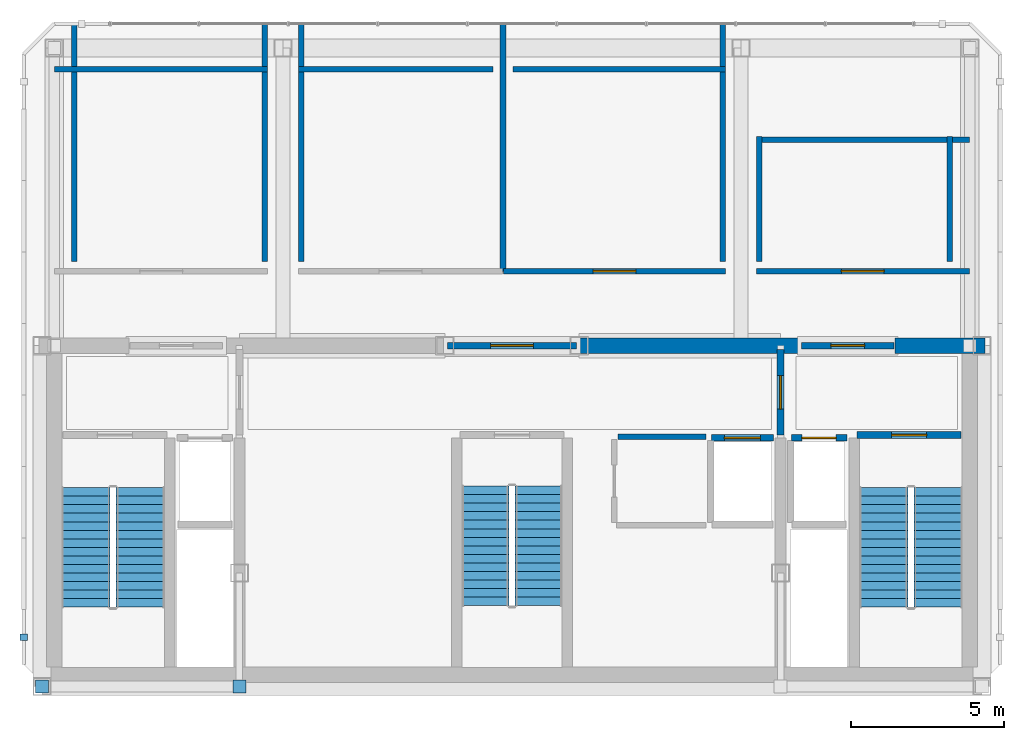
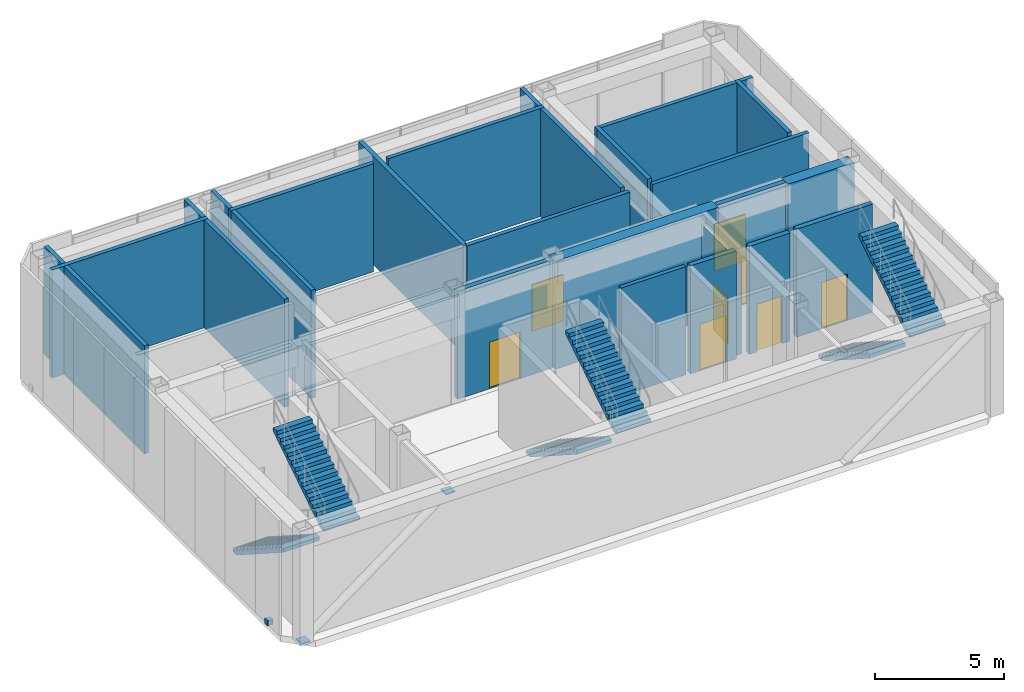
# One storey, part 8 of 10: 22 walls, 8 doors, 6 stair flights, 3 discrete accessories, 8 openings, 3 elements without a shape of their own.
"""IFC4 building model written with IfcOpenShell, lengths in metres."""

from ifc_helpers import new_model, si_unit, direction, frame, frame_2d, origin, origin_2d, place, context, subcontext, project, spatial, polyline, rectangle, outline, extrude, material, layer, layer_set, type_object, element, fill, aggregate, save


model = new_model("IFC4")

# Units and contexts
model_context = context("Model", 3, precision=1e-05, world=origin(), true_north=direction((0.0, 1.0)))
body_context = subcontext(model_context, "Body", "Model", "MODEL_VIEW")
ifc_project = project(units=[si_unit("LENGTHUNIT", "METRE"), si_unit("AREAUNIT", "SQUARE_METRE"), si_unit("VOLUMEUNIT", "CUBIC_METRE"), si_unit("PLANEANGLEUNIT", "RADIAN"), si_unit("MASSUNIT", "GRAM", prefix="KILO")], contexts=[model_context])

# Site, building, storey
site_placement = place(None, origin())
site = spatial("IfcSite", under=ifc_project, at=site_placement, CompositionType="ELEMENT")
building_placement = place(site_placement, origin())
building = spatial("IfcBuilding", under=site, at=building_placement, Name="Ventersveld Concourse Tower", CompositionType="ELEMENT")
storey_placement = place(building_placement, frame((0.0, 0.0, 382.85009765625)))
storey = spatial("IfcBuildingStorey", under=building, at=storey_placement, Name="L93", CompositionType="ELEMENT", Elevation=382.85009765625)

# Walls
ifc_material_1 = material(Name="Concrete C50/60", Category="concrete")
ifc_layer_1 = layer(ifc_material_1, 0.5)
ifc_layer_set_1 = layer_set([ifc_layer_1], Name="Concrete C50/60")
wall_type_1 = type_object("IfcWallType", Name="WL-CORE-500", PredefinedType="SHEAR", material=ifc_layer_set_1)
wall_1_placement = place(storey_placement, frame((30.89990234375, 11.449951171875, 0.0), z_axis=(0.0, 0.0, 1.0), x_axis=(1.0, 0.0, 0.0)))
element("IfcWall", 1, at=wall_1_placement, inside=storey, type_object=wall_type_1, Name="L93 Rear Core North Shear Wall NMR", PredefinedType="SHEAR", context=body_context, shape_type="SweptSolid", body=[
    extrude(rectangle(XDim=7.300048828125, YDim=0.5, at=frame_2d((3.64990234375, 0.0))), origin(), (0.0, 0.0, 1.0), 5.099853515625),
])
wall_2_placement = place(storey_placement, frame((41.300048828125, 11.449951171875, 0.0), z_axis=(0.0, 0.0, 1.0), x_axis=(1.0, 0.0, 0.0)))
element("IfcWall", 2, at=wall_2_placement, inside=storey, type_object=wall_type_1, Name="L93 Rear Core North Shear Wall NE", PredefinedType="SHEAR", context=body_context, shape_type="SweptSolid", body=[
    extrude(rectangle(XDim=2.949951171875, YDim=0.5, at=frame_2d((1.47509765625, 0.0))), origin(), (0.0, 0.0, 1.0), 5.099853515625),
])
ifc_material_2 = material(Name="Fire-rated autoclaved aerated masonry blockwork", Category="masonry")
ifc_layer_2 = layer(ifc_material_2, 0.179931640625)
ifc_layer_set_2 = layer_set([ifc_layer_2], Name="Fire-rated autoclaved aerated masonry blockwork")
wall_type_2 = type_object("IfcWallType", Name="WL-CORR-180", PredefinedType="PARTITIONING", material=ifc_layer_set_2)
wall_3_placement = place(storey_placement, frame((32.219970703125, 8.4599609375, 0.0), z_axis=(0.0, 0.0, 1.0), x_axis=(1.0, 0.0, 0.0)))
element("IfcWall", 3, at=wall_3_placement, inside=storey, type_object=wall_type_2, Name="L93 Core Top Wall SP-L93-CBAY1", PredefinedType="PARTITIONING", context=body_context, shape_type="SweptSolid", body=[
    extrude(rectangle(XDim=2.880126953125, YDim=0.179931640625, at=frame_2d((1.43994140625, 0.0))), origin(), (0.0, 0.0, 1.0), 5.099853515625),
])

# Wall, opening, door
wall_4_placement = place(storey_placement, frame((28.47509765625, 13.889892578125, 0.0), z_axis=(0.0, 0.0, 1.0), x_axis=(1.0, 0.0, 0.0)))
wall_4 = element("IfcWall", 4, at=wall_4_placement, inside=storey, type_object=wall_type_2, Name="L93 Interior Partition SP-L93-PCOR-SP-L93-BATT", PredefinedType="PARTITIONING", context=body_context, shape_type="SweptSolid", body=[
    extrude(rectangle(XDim=7.27001953125, YDim=0.179931640625, at=frame_2d((3.635009765625, 0.0))), origin(), (0.0, 0.0, 1.0), 5.099853515625),
])
opening_1_placement = place(wall_4_placement, frame((2.93505859375, 0.0, 0.0)))
opening_1 = element("IfcOpeningElement", 5, at=opening_1_placement, cuts=wall_4, Name="Opening FD4", PredefinedType="OPENING", context=body_context, shape_type="SweptSolid", body=[
    extrude(rectangle(XDim=1.39990234375, YDim=2.199951171875, at=frame_2d((0.699951171875, 1.10009765625))), frame((0.0, 0.10009765625, 0.0), z_axis=(0.0, -1.0, 0.0), x_axis=(1.0, 0.0, 0.0)), (0.0, 0.0, 1.0), 0.199951171875),
])
ifc_material_3 = material(Name="Galvanised painted steel", Category="steel")
door_type_1 = type_object("IfcDoorType", Name="DR-PLANT-140", OperationType="DOUBLE_DOOR_SINGLE_SWING", PredefinedType="DOOR", material=ifc_material_3)
door_1_placement = place(opening_1_placement, origin())
door_1 = element("IfcDoor", 6, at=door_1_placement, inside=storey, type_object=door_type_1, Name="L93 Interior Door SP-L93-PCOR to SP-L93-BATT (FD-L93-4005)", OperationType="DOUBLE_DOOR_SINGLE_SWING", OverallHeight=2.199951171875, OverallWidth=1.39990234375, PredefinedType="DOOR", context=body_context, shape_type="SweptSolid", body=[
    extrude(rectangle(XDim=1.39990234375, YDim=2.199951171875, at=frame_2d((0.699951171875, 1.10009765625))), frame((0.0, 0.02490234375, 0.0), z_axis=(0.0, -1.0, 0.0), x_axis=(1.0, 0.0, 0.0)), (0.0, 0.0, 1.0), 0.050048828125),
])
fill(opening_1, door_1)

wall_5_placement = place(storey_placement, frame((36.7548828125, 13.889892578125, 0.0), z_axis=(0.0, 0.0, 1.0), x_axis=(1.0, 0.0, 0.0)))
wall_5 = element("IfcWall", 7, at=wall_5_placement, inside=storey, type_object=wall_type_2, Name="L93 Interior Partition SP-L93-PCOR-SP-L93-TNK", PredefinedType="PARTITIONING", context=body_context, shape_type="SweptSolid", body=[
    extrude(rectangle(XDim=6.97705078125, YDim=0.179931640625, at=frame_2d((3.488525390625, 0.0))), origin(), (0.0, 0.0, 1.0), 5.099853515625),
])
opening_2_placement = place(wall_5_placement, frame((2.78857421875, 0.0, 0.0)))
opening_2 = element("IfcOpeningElement", 8, at=opening_2_placement, cuts=wall_5, Name="Opening FD4", PredefinedType="OPENING", context=body_context, shape_type="SweptSolid", body=[
    extrude(rectangle(XDim=1.39990234375, YDim=2.199951171875, at=frame_2d((0.699951171875, 1.10009765625))), frame((0.0, 0.10009765625, 0.0), z_axis=(0.0, -1.0, 0.0), x_axis=(1.0, 0.0, 0.0)), (0.0, 0.0, 1.0), 0.199951171875),
])
door_2_placement = place(opening_2_placement, origin())
door_2 = element("IfcDoor", 9, at=door_2_placement, inside=storey, type_object=door_type_1, Name="L93 Interior Door SP-L93-PCOR to SP-L93-TNK (FD-L93-4006)", OperationType="DOUBLE_DOOR_SINGLE_SWING", OverallHeight=2.199951171875, OverallWidth=1.39990234375, PredefinedType="DOOR", context=body_context, shape_type="SweptSolid", body=[
    extrude(rectangle(XDim=1.39990234375, YDim=2.199951171875, at=frame_2d((0.699951171875, 1.10009765625))), frame((0.0, 0.02490234375, 0.0), z_axis=(0.0, -1.0, 0.0), x_axis=(1.0, 0.0, 0.0)), (0.0, 0.0, 1.0), 0.050048828125),
])
fill(opening_2, door_2)

# Walls
wall_6_placement = place(storey_placement, frame((20.64990234375, 14.215087890625, 0.0), z_axis=(0.0, 0.0, 1.0), x_axis=(0.0, 1.0, 0.0)))
element("IfcWall", 10, at=wall_6_placement, inside=storey, type_object=wall_type_2, Name="L93 Room Enclosure Wall SP-L93-TX", PredefinedType="PARTITIONING", context=body_context, shape_type="SweptSolid", body=[
    extrude(rectangle(XDim=7.766845703125, YDim=0.179931640625, at=frame_2d((3.88330078125, 0.0))), origin(), (0.0, 0.0, 1.0), 5.099853515625),
])
wall_7_placement = place(storey_placement, frame((20.7451171875, 20.5, 0.0), z_axis=(0.0, 0.0, 1.0), x_axis=(-1.0, 0.0, 0.0)))
element("IfcWall", 11, at=wall_7_placement, inside=storey, type_object=wall_type_2, Name="L93 Room Enclosure Wall SP-L93-TX", PredefinedType="PARTITIONING", context=body_context, shape_type="SweptSolid", body=[
    extrude(rectangle(XDim=6.97705078125, YDim=0.179931640625, at=frame_2d((3.488525390625, 0.0))), origin(), (0.0, 0.0, 1.0), 5.099853515625),
])
wall_8_placement = place(storey_placement, frame((14.39990234375, 21.990966796875, 0.0), z_axis=(0.0, 0.0, 1.0), x_axis=(0.0, -1.0, 0.0)))
element("IfcWall", 12, at=wall_8_placement, inside=storey, type_object=wall_type_2, Name="L93 Room Enclosure Wall SP-L93-TX", PredefinedType="PARTITIONING", context=body_context, shape_type="SweptSolid", body=[
    extrude(rectangle(XDim=7.77587890625, YDim=0.179931640625, at=frame_2d((3.887939453125, 0.0))), origin(), (0.0, 0.0, 1.0), 5.099853515625),
])
wall_9_placement = place(storey_placement, frame((28.125, 20.5, 0.0), z_axis=(0.0, 0.0, 1.0), x_axis=(-1.0, 0.0, 0.0)))
element("IfcWall", 13, at=wall_9_placement, inside=storey, type_object=wall_type_2, Name="L93 Room Enclosure Wall SP-L93-UPS", PredefinedType="PARTITIONING", context=body_context, shape_type="SweptSolid", body=[
    extrude(rectangle(XDim=6.3701171875, YDim=0.179931640625, at=frame_2d((3.18505859375, 0.0))), origin(), (0.0, 0.0, 1.0), 5.099853515625),
])
for number, where, z_axis, x_axis, name in (
    (14, (21.85009765625, 21.98193359375, 0.0), (0.0, 0.0, 1.0), (0.0, -1.0, 0.0), "L93 Room Enclosure Wall SP-L93-UPS"),
    (15, (35.64990234375, 14.215087890625, 0.0), (0.0, 0.0, 1.0), (0.0, 1.0, 0.0), "L93 Room Enclosure Wall SP-L93-BATT"),
):
    element("IfcWall", number, at=place(storey_placement, frame(where, z_axis=z_axis, x_axis=x_axis)), inside=storey, type_object=wall_type_2, Name=name, PredefinedType="PARTITIONING", context=body_context, shape_type="SweptSolid", body=[
        extrude(rectangle(XDim=7.766845703125, YDim=0.179931640625, at=frame_2d((3.88330078125, 0.0))), origin(), (0.0, 0.0, 1.0), 5.099853515625),
    ])
wall_10_placement = place(storey_placement, frame((35.7451171875, 20.5, 0.0), z_axis=(0.0, 0.0, 1.0), x_axis=(-1.0, 0.0, 0.0)))
element("IfcWall", 16, at=wall_10_placement, inside=storey, type_object=wall_type_2, Name="L93 Room Enclosure Wall SP-L93-BATT", PredefinedType="PARTITIONING", context=body_context, shape_type="SweptSolid", body=[
    extrude(rectangle(XDim=6.97021484375, YDim=0.179931640625, at=frame_2d((3.485107421875, 0.0))), origin(), (0.0, 0.0, 1.0), 5.099853515625),
])
wall_11_placement = place(storey_placement, frame((43.10009765625, 14.215087890625, 0.0), z_axis=(0.0, 0.0, 1.0), x_axis=(0.0, 1.0, 0.0)))
element("IfcWall", 17, at=wall_11_placement, inside=storey, type_object=wall_type_2, Name="L93 Room Enclosure Wall SP-L93-TNK", PredefinedType="PARTITIONING", context=body_context, shape_type="SweptSolid", body=[
    extrude(rectangle(XDim=4.079833984375, YDim=0.179931640625, at=frame_2d((2.0400390625, 0.0))), origin(), (0.0, 0.0, 1.0), 5.099853515625),
])
wall_12_placement = place(storey_placement, frame((43.73193359375, 18.199951171875, 0.0), z_axis=(0.0, 0.0, 1.0), x_axis=(-1.0, 0.0, 0.0)))
element("IfcWall", 18, at=wall_12_placement, inside=storey, type_object=wall_type_2, Name="L93 Room Enclosure Wall SP-L93-TNK", PredefinedType="PARTITIONING", context=body_context, shape_type="SweptSolid", body=[
    extrude(rectangle(XDim=6.97705078125, YDim=0.179931640625, at=frame_2d((3.488525390625, 0.0))), origin(), (0.0, 0.0, 1.0), 5.099853515625),
])
wall_13_placement = place(storey_placement, frame((36.85009765625, 18.294921875, 0.0), z_axis=(0.0, 0.0, 1.0), x_axis=(0.0, -1.0, 0.0)))
element("IfcWall", 19, at=wall_13_placement, inside=storey, type_object=wall_type_2, Name="L93 Room Enclosure Wall SP-L93-TNK", PredefinedType="PARTITIONING", context=body_context, shape_type="SweptSolid", body=[
    extrude(rectangle(XDim=4.079833984375, YDim=0.179931640625, at=frame_2d((2.0400390625, 0.0))), origin(), (0.0, 0.0, 1.0), 5.099853515625),
])
ifc_layer_3 = layer(ifc_material_2, 0.199951171875)
ifc_layer_set_3 = layer_set([ifc_layer_3], Name="Fire-rated autoclaved aerated masonry blockwork")
wall_type_3 = type_object("IfcWallType", Name="WL-DEMISE-200", PredefinedType="PARTITIONING", material=ifc_layer_set_3)
wall_14_placement = place(storey_placement, frame((28.449951171875, 13.885009765625, 0.0), z_axis=(0.0, 0.0, 1.0), x_axis=(0.0, 1.0, 0.0)))
element("IfcWall", 20, at=wall_14_placement, inside=storey, type_object=wall_type_3, Name="L93 Interior Partition SP-L93-UPS-SP-L93-BATT", PredefinedType="PARTITIONING", context=body_context, shape_type="SweptSolid", body=[
    extrude(rectangle(XDim=8.096923828125, YDim=0.199951171875, at=frame_2d((4.04833984375, 0.0))), origin(), (0.0, 0.0, 1.0), 5.099853515625),
])

# Wall, opening, door
ifc_layer_4 = layer(ifc_material_2, 0.219970703125)
ifc_layer_set_4 = layer_set([ifc_layer_4], Name="Fire-rated autoclaved aerated masonry blockwork")
wall_type_4 = type_object("IfcWallType", Name="WL-HOIST-220", PredefinedType="SOLIDWALL", material=ifc_layer_set_4)
wall_15_placement = place(storey_placement, frame((37.89990234375, 8.429931640625, 0.0), z_axis=(0.0, 0.0, 1.0), x_axis=(1.0, 0.0, 0.0)))
wall_15 = element("IfcWall", 21, at=wall_15_placement, inside=storey, type_object=wall_type_4, Name="L93 Lift Hoistway Front Wall FFL-02", PredefinedType="SOLIDWALL", context=body_context, shape_type="SweptSolid", body=[
    extrude(rectangle(XDim=1.820068359375, YDim=0.219970703125, at=frame_2d((0.91015625, 0.0))), origin(), (0.0, 0.0, 1.0), 5.099853515625),
])
opening_3_placement = place(wall_15_placement, frame((0.35009765625, 0.0, 0.0)))
opening_3 = element("IfcOpeningElement", 22, at=opening_3_placement, cuts=wall_15, Name="Opening LD1", PredefinedType="OPENING", context=body_context, shape_type="SweptSolid", body=[
    extrude(rectangle(XDim=1.1201171875, YDim=2.25, at=frame_2d((0.56005859375, 1.125))), frame((0.0, 0.1201171875, 0.0), z_axis=(0.0, -1.0, 0.0), x_axis=(1.0, 0.0, 0.0)), (0.0, 0.0, 1.0), 0.239990234375),
])
ifc_material_4 = material(Name="Brushed stainless steel 316", Category="steel")
door_type_2 = type_object("IfcDoorType", Name="LD-FF-112", OperationType="SLIDING_TO_LEFT", PredefinedType="DOOR", material=ifc_material_4)
door_3_placement = place(opening_3_placement, origin())
door_3 = element("IfcDoor", 23, at=door_3_placement, inside=storey, type_object=door_type_2, Name="L93 Lift landing door FFL-02 (LD-L93-FFL-02)", OperationType="SLIDING_TO_RIGHT", OverallHeight=2.25, OverallWidth=1.1201171875, PredefinedType="DOOR", context=body_context, shape_type="SweptSolid", body=[
    extrude(rectangle(XDim=1.1201171875, YDim=2.25, at=frame_2d((0.56005859375, 1.125))), frame((0.0, 0.02490234375, 0.0), z_axis=(0.0, -1.0, 0.0), x_axis=(1.0, 0.0, 0.0)), (0.0, 0.0, 1.0), 0.050048828125),
])
fill(opening_3, door_3)

wall_16_placement = place(storey_placement, frame((35.280029296875, 8.429931640625, 0.0), z_axis=(0.0, 0.0, 1.0), x_axis=(1.0, 0.0, 0.0)))
wall_16 = element("IfcWall", 24, at=wall_16_placement, inside=storey, type_object=wall_type_4, Name="L93 Lift Hoistway Front Wall SVL-01", PredefinedType="SOLIDWALL", context=body_context, shape_type="SweptSolid", body=[
    extrude(rectangle(XDim=2.0400390625, YDim=0.219970703125, at=frame_2d((1.02001953125, 0.0))), origin(), (0.0, 0.0, 1.0), 5.099853515625),
])
opening_4_placement = place(wall_16_placement, frame((0.429931640625, 0.0, 0.0)))
opening_4 = element("IfcOpeningElement", 25, at=opening_4_placement, cuts=wall_16, Name="Opening LD2", PredefinedType="OPENING", context=body_context, shape_type="SweptSolid", body=[
    extrude(rectangle(XDim=1.179931640625, YDim=2.199951171875, at=frame_2d((0.58984375, 1.10009765625))), frame((0.0, 0.1201171875, 0.0), z_axis=(0.0, -1.0, 0.0), x_axis=(1.0, 0.0, 0.0)), (0.0, 0.0, 1.0), 0.239990234375),
])
door_type_3 = type_object("IfcDoorType", Name="LD-PAX-118", OperationType="SLIDING_TO_LEFT", PredefinedType="DOOR", material=ifc_material_4)
door_4_placement = place(opening_4_placement, origin())
door_4 = element("IfcDoor", 26, at=door_4_placement, inside=storey, type_object=door_type_3, Name="L93 Lift landing door SVL-01 (LD-L93-SVL-01)", OperationType="SLIDING_TO_LEFT", OverallHeight=2.199951171875, OverallWidth=1.179931640625, PredefinedType="DOOR", context=body_context, shape_type="SweptSolid", body=[
    extrude(rectangle(XDim=1.179931640625, YDim=2.199951171875, at=frame_2d((0.58984375, 1.10009765625))), frame((0.0, 0.02490234375, 0.0), z_axis=(0.0, -1.0, 0.0), x_axis=(1.0, 0.0, 0.0)), (0.0, 0.0, 1.0), 0.050048828125),
])
fill(opening_4, door_4)

wall_17_placement = place(storey_placement, frame((40.06005859375, 8.52001953125, 0.0), z_axis=(0.0, 0.0, 1.0), x_axis=(1.0, 0.0, 0.0)))
wall_17 = element("IfcWall", 27, at=wall_17_placement, inside=storey, type_object=wall_type_4, Name="L93 Escape Stair ST02 Fire Wall", PredefinedType="SOLIDWALL", context=body_context, shape_type="SweptSolid", body=[
    extrude(rectangle(XDim=3.39990234375, YDim=0.219970703125, at=frame_2d((1.699951171875, 0.0))), origin(), (0.0, 0.0, 1.0), 5.099853515625),
])
opening_5_placement = place(wall_17_placement, frame((1.125, 0.0, 0.0)))
opening_5 = element("IfcOpeningElement", 28, at=opening_5_placement, cuts=wall_17, Name="Opening FD1", PredefinedType="OPENING", context=body_context, shape_type="SweptSolid", body=[
    extrude(rectangle(XDim=1.14990234375, YDim=2.199951171875, at=frame_2d((0.574951171875, 1.10009765625))), frame((0.0, 0.1201171875, 0.0), z_axis=(0.0, -1.0, 0.0), x_axis=(1.0, 0.0, 0.0)), (0.0, 0.0, 1.0), 0.239990234375),
])
door_type_4 = type_object("IfcDoorType", Name="DR-STAIR-115", OperationType="NOTDEFINED", PredefinedType="DOOR", material=ifc_material_3)
door_5_placement = place(opening_5_placement, origin())
door_5 = element("IfcDoor", 29, at=door_5_placement, inside=storey, type_object=door_type_4, Name="L93 Escape Stair Door ST02 (SD-L93-3995)", OperationType="SINGLE_SWING_RIGHT", OverallHeight=2.199951171875, OverallWidth=1.14990234375, PredefinedType="DOOR", context=body_context, shape_type="SweptSolid", body=[
    extrude(rectangle(XDim=1.14990234375, YDim=2.199951171875, at=frame_2d((0.574951171875, 1.10009765625))), frame((0.0, 0.02490234375, 0.0), z_axis=(0.0, -1.0, 0.0), x_axis=(1.0, 0.0, 0.0)), (0.0, 0.0, 1.0), 0.050048828125),
])
fill(opening_5, door_5)

wall_18_placement = place(storey_placement, frame((37.550048828125, 8.52001953125, 0.0), z_axis=(0.0, 0.0, 1.0), x_axis=(0.0, 1.0, 0.0)))
wall_18 = element("IfcWall", 30, at=wall_18_placement, inside=storey, type_object=wall_type_4, Name="L93 Firefighting Lobby Smoke-Stop Wall FFLE-SEP", PredefinedType="SOLIDWALL", context=body_context, shape_type="SweptSolid", body=[
    extrude(rectangle(XDim=2.800048828125, YDim=0.219970703125, at=frame_2d((1.39990234375, 0.0))), origin(), (0.0, 0.0, 1.0), 4.555419921875),
])
opening_6_placement = place(wall_18_placement, frame((0.85009765625, 0.0, 0.0)))
opening_6 = element("IfcOpeningElement", 31, at=opening_6_placement, cuts=wall_18, Name="Opening FD2", PredefinedType="OPENING", context=body_context, shape_type="SweptSolid", body=[
    extrude(rectangle(XDim=1.10009765625, YDim=2.199951171875, at=frame_2d((0.550048828125, 1.10009765625))), frame((0.0, 0.1201171875, 0.0), z_axis=(0.0, -1.0, 0.0), x_axis=(1.0, 0.0, 0.0)), (0.0, 0.0, 1.0), 0.239990234375),
])
door_type_5 = type_object("IfcDoorType", Name="DR-FFL-110", OperationType="NOTDEFINED", PredefinedType="DOOR", material=ifc_material_3)
door_6_placement = place(opening_6_placement, origin())
door_6 = element("IfcDoor", 32, at=door_6_placement, inside=storey, type_object=door_type_5, Name="L93 Firefighting Lobby Door FFLE-SEP (FD-L93-3998)", OperationType="SINGLE_SWING_RIGHT", OverallHeight=2.199951171875, OverallWidth=1.10009765625, PredefinedType="DOOR", context=body_context, shape_type="SweptSolid", body=[
    extrude(rectangle(XDim=1.10009765625, YDim=2.199951171875, at=frame_2d((0.550048828125, 1.10009765625))), frame((0.0, 0.02490234375, 0.0), z_axis=(0.0, -1.0, 0.0), x_axis=(1.0, 0.0, 0.0)), (0.0, 0.0, 1.0), 0.050048828125),
])
fill(opening_6, door_6)

wall_19_placement = place(storey_placement, frame((26.6298828125, 11.449951171875, 0.0), z_axis=(0.0, 0.0, 1.0), x_axis=(1.0, 0.0, 0.0)))
wall_19 = element("IfcWall", 33, at=wall_19_placement, inside=storey, type_object=wall_type_4, Name="L93 Core North Fire Portal PLOB-OUT", PredefinedType="SOLIDWALL", context=body_context, shape_type="SweptSolid", body=[
    extrude(rectangle(XDim=4.240234375, YDim=0.219970703125, at=frame_2d((2.1201171875, 0.0))), origin(), (0.0, 0.0, 1.0), 5.099853515625),
])
opening_7_placement = place(wall_19_placement, frame((1.419921875, 0.0, 0.0)))
opening_7 = element("IfcOpeningElement", 34, at=opening_7_placement, cuts=wall_19, Name="Opening FD4", PredefinedType="OPENING", context=body_context, shape_type="SweptSolid", body=[
    extrude(rectangle(XDim=1.39990234375, YDim=2.199951171875, at=frame_2d((0.699951171875, 1.10009765625))), frame((0.0, 0.1201171875, 0.0), z_axis=(0.0, -1.0, 0.0), x_axis=(1.0, 0.0, 0.0)), (0.0, 0.0, 1.0), 0.239990234375),
])
door_7_placement = place(opening_7_placement, origin())
door_7 = element("IfcDoor", 35, at=door_7_placement, inside=storey, type_object=door_type_1, Name="L93 Core Lobby Fire Door PLOB-OUT (FD-L93-4000)", OperationType="DOUBLE_DOOR_SINGLE_SWING", OverallHeight=2.199951171875, OverallWidth=1.39990234375, PredefinedType="DOOR", context=body_context, shape_type="SweptSolid", body=[
    extrude(rectangle(XDim=1.39990234375, YDim=2.199951171875, at=frame_2d((0.699951171875, 1.10009765625))), frame((0.0, 0.02490234375, 0.0), z_axis=(0.0, -1.0, 0.0), x_axis=(1.0, 0.0, 0.0)), (0.0, 0.0, 1.0), 0.050048828125),
])
fill(opening_7, door_7)

wall_20_placement = place(storey_placement, frame((38.22998046875, 11.449951171875, 0.0), z_axis=(0.0, 0.0, 1.0), x_axis=(1.0, 0.0, 0.0)))
wall_20 = element("IfcWall", 36, at=wall_20_placement, inside=storey, type_object=wall_type_4, Name="L93 Core North Fire Portal FFLE-OUT", PredefinedType="SOLIDWALL", context=body_context, shape_type="SweptSolid", body=[
    extrude(rectangle(XDim=3.0400390625, YDim=0.219970703125, at=frame_2d((1.52001953125, 0.0))), origin(), (0.0, 0.0, 1.0), 5.099853515625),
])
opening_8_placement = place(wall_20_placement, frame((0.969970703125, 0.0, 0.0)))
opening_8 = element("IfcOpeningElement", 37, at=opening_8_placement, cuts=wall_20, Name="Opening FD2", PredefinedType="OPENING", context=body_context, shape_type="SweptSolid", body=[
    extrude(rectangle(XDim=1.10009765625, YDim=2.199951171875, at=frame_2d((0.550048828125, 1.10009765625))), frame((0.0, 0.1201171875, 0.0), z_axis=(0.0, -1.0, 0.0), x_axis=(1.0, 0.0, 0.0)), (0.0, 0.0, 1.0), 0.239990234375),
])
door_8_placement = place(opening_8_placement, origin())
door_8 = element("IfcDoor", 38, at=door_8_placement, inside=storey, type_object=door_type_5, Name="L93 Core Lobby Fire Door FFLE-OUT (FD-L93-4001)", OperationType="SINGLE_SWING_LEFT", OverallHeight=2.199951171875, OverallWidth=1.10009765625, PredefinedType="DOOR", context=body_context, shape_type="SweptSolid", body=[
    extrude(rectangle(XDim=1.10009765625, YDim=2.199951171875, at=frame_2d((0.550048828125, 1.10009765625))), frame((0.0, 0.02490234375, 0.0), z_axis=(0.0, -1.0, 0.0), x_axis=(1.0, 0.0, 0.0)), (0.0, 0.0, 1.0), 0.050048828125),
])
fill(opening_8, door_8)

# Stair, stair flights
stair_type_1 = type_object("IfcStairType", Name="ST-DOG-155", PredefinedType="HALF_TURN_STAIR", material=ifc_material_1)
stair_1_placement = place(storey_placement, origin())
stair_1 = element("IfcStair", 39, at=stair_1_placement, inside=storey, type_object=stair_type_1, Name="L93 Protected Central Core Escape Stair ST-03", PredefinedType="HALF_TURN_STAIR")
stair_flight_type_1 = type_object("IfcStairFlightType", Name="STF-RC-155", PredefinedType="STRAIGHT", material=ifc_material_1)
stair_flight_1_placement = place(storey_placement, frame((27.875, 6.85009765625, 0.0), z_axis=(0.0, 0.0, 1.0), x_axis=(0.0, -1.0, 0.0)))
stair_flight_1 = element("IfcStairFlight", 40, at=stair_flight_1_placement, type_object=stair_flight_type_1, Name="ST-03 flight 1", NumberOfRisers=15, NumberOfTreads=14, PredefinedType="STRAIGHT", RiserHeight=0.18, TreadLength=0.28, context=body_context, shape_type="SweptSolid", body=[
    extrude(outline(polyline([(0.0, 0.0), (0.0, 0.179931640625), (0.280029296875, 0.179931640625), (0.280029296875, 0.360107421875), (0.56005859375, 0.360107421875), (0.56005859375, 0.5400390625), (0.840087890625, 0.5400390625), (0.840087890625, 0.719970703125), (1.1201171875, 0.719970703125), (1.1201171875, 0.89990234375), (1.39990234375, 0.89990234375), (1.39990234375, 1.080078125), (1.679931640625, 1.080078125), (1.679931640625, 1.260009765625), (1.9599609375, 1.260009765625), (1.9599609375, 1.43994140625), (2.239990234375, 1.43994140625), (2.239990234375, 1.6201171875), (2.52001953125, 1.6201171875), (2.52001953125, 1.800048828125), (2.800048828125, 1.800048828125), (2.800048828125, 1.97998046875), (3.080078125, 1.97998046875), (3.080078125, 2.159912109375), (3.360107421875, 2.159912109375), (3.360107421875, 2.340087890625), (3.639892578125, 2.340087890625), (3.639892578125, 2.52001953125), (3.919921875, 2.52001953125), (3.919921875, 2.699951171875), (3.919921875, 2.341796875), (0.277099609375, 0.0), (0.0, 0.0)])), frame((0.0, 0.77490234375, 0.0), z_axis=(0.0, -1.0, 0.0), x_axis=(1.0, 0.0, 0.0)), (0.0, 0.0, 1.0), 1.550048828125),
])
stair_flight_2_placement = place(storey_placement, frame((29.625, 2.929931640625, 2.699951171875), z_axis=(0.0, 0.0, 1.0), x_axis=(0.0, 1.0, 0.0)))
stair_flight_2 = element("IfcStairFlight", 41, at=stair_flight_2_placement, type_object=stair_flight_type_1, Name="ST-03 flight 2", NumberOfRisers=15, NumberOfTreads=14, PredefinedType="STRAIGHT", RiserHeight=0.18, TreadLength=0.28, context=body_context, shape_type="SweptSolid", body=[
    extrude(outline(polyline([(0.0, 0.0), (0.0, 0.179931640625), (0.280029296875, 0.179931640625), (0.280029296875, 0.360107421875), (0.56005859375, 0.360107421875), (0.56005859375, 0.5400390625), (0.840087890625, 0.5400390625), (0.840087890625, 0.719970703125), (1.1201171875, 0.719970703125), (1.1201171875, 0.89990234375), (1.39990234375, 0.89990234375), (1.39990234375, 1.080078125), (1.679931640625, 1.080078125), (1.679931640625, 1.260009765625), (1.9599609375, 1.260009765625), (1.9599609375, 1.43994140625), (2.239990234375, 1.43994140625), (2.239990234375, 1.6201171875), (2.52001953125, 1.6201171875), (2.52001953125, 1.800048828125), (2.800048828125, 1.800048828125), (2.800048828125, 1.97998046875), (3.080078125, 1.97998046875), (3.080078125, 2.159912109375), (3.360107421875, 2.159912109375), (3.360107421875, 2.340087890625), (3.639892578125, 2.340087890625), (3.639892578125, 2.52001953125), (3.919921875, 2.52001953125), (3.919921875, 2.699951171875), (3.919921875, 2.341796875), (0.277099609375, 0.0), (0.0, 0.0)])), frame((0.0, 0.77490234375, 0.0), z_axis=(0.0, -1.0, 0.0), x_axis=(1.0, 0.0, 0.0)), (0.0, 0.0, 1.0), 1.550048828125),
])
aggregate(stair_1, [stair_flight_1, stair_flight_2])

stair_type_2 = type_object("IfcStairType", Name="ST-DOG-160", PredefinedType="HALF_TURN_STAIR", material=ifc_material_1)
stair_2_placement = place(storey_placement, origin())
stair_2 = element("IfcStair", 42, at=stair_2_placement, inside=storey, type_object=stair_type_2, Name="L93 Protected Tower Escape Stair ST-01", PredefinedType="HALF_TURN_STAIR")
stair_flight_type_2 = type_object("IfcStairFlightType", Name="STF-RC-160", PredefinedType="STRAIGHT", material=ifc_material_1)
stair_flight_3_placement = place(storey_placement, frame((14.780029296875, 6.800048828125, 0.0), z_axis=(0.0, 0.0, 1.0), x_axis=(0.0, -1.0, 0.0)))
stair_flight_3 = element("IfcStairFlight", 43, at=stair_flight_3_placement, type_object=stair_flight_type_2, Name="ST-01 flight 1", NumberOfRisers=15, NumberOfTreads=14, PredefinedType="STRAIGHT", RiserHeight=0.18, TreadLength=0.28, context=body_context, shape_type="SweptSolid", body=[
    extrude(outline(polyline([(0.0, 0.0), (0.0, 0.179931640625), (0.280029296875, 0.179931640625), (0.280029296875, 0.360107421875), (0.56005859375, 0.360107421875), (0.56005859375, 0.5400390625), (0.840087890625, 0.5400390625), (0.840087890625, 0.719970703125), (1.1201171875, 0.719970703125), (1.1201171875, 0.89990234375), (1.39990234375, 0.89990234375), (1.39990234375, 1.080078125), (1.679931640625, 1.080078125), (1.679931640625, 1.260009765625), (1.9599609375, 1.260009765625), (1.9599609375, 1.43994140625), (2.239990234375, 1.43994140625), (2.239990234375, 1.6201171875), (2.52001953125, 1.6201171875), (2.52001953125, 1.800048828125), (2.800048828125, 1.800048828125), (2.800048828125, 1.97998046875), (3.080078125, 1.97998046875), (3.080078125, 2.159912109375), (3.360107421875, 2.159912109375), (3.360107421875, 2.340087890625), (3.639892578125, 2.340087890625), (3.639892578125, 2.52001953125), (3.919921875, 2.52001953125), (3.919921875, 2.699951171875), (3.919921875, 2.341796875), (0.277099609375, 0.0), (0.0, 0.0)])), frame((0.0, 0.800048828125, 0.0), z_axis=(0.0, -1.0, 0.0), x_axis=(1.0, 0.0, 0.0)), (0.0, 0.0, 1.0), 1.60009765625),
])
stair_flight_4_placement = place(storey_placement, frame((16.580078125, 2.8798828125, 2.699951171875), z_axis=(0.0, 0.0, 1.0), x_axis=(0.0, 1.0, 0.0)))
stair_flight_4 = element("IfcStairFlight", 44, at=stair_flight_4_placement, type_object=stair_flight_type_2, Name="ST-01 flight 2", NumberOfRisers=15, NumberOfTreads=14, PredefinedType="STRAIGHT", RiserHeight=0.18, TreadLength=0.28, context=body_context, shape_type="SweptSolid", body=[
    extrude(outline(polyline([(0.0, 0.0), (0.0, 0.179931640625), (0.280029296875, 0.179931640625), (0.280029296875, 0.360107421875), (0.56005859375, 0.360107421875), (0.56005859375, 0.5400390625), (0.840087890625, 0.5400390625), (0.840087890625, 0.719970703125), (1.1201171875, 0.719970703125), (1.1201171875, 0.89990234375), (1.39990234375, 0.89990234375), (1.39990234375, 1.080078125), (1.679931640625, 1.080078125), (1.679931640625, 1.260009765625), (1.9599609375, 1.260009765625), (1.9599609375, 1.43994140625), (2.239990234375, 1.43994140625), (2.239990234375, 1.6201171875), (2.52001953125, 1.6201171875), (2.52001953125, 1.800048828125), (2.800048828125, 1.800048828125), (2.800048828125, 1.97998046875), (3.080078125, 1.97998046875), (3.080078125, 2.159912109375), (3.360107421875, 2.159912109375), (3.360107421875, 2.340087890625), (3.639892578125, 2.340087890625), (3.639892578125, 2.52001953125), (3.919921875, 2.52001953125), (3.919921875, 2.699951171875), (3.919921875, 2.341796875), (0.277099609375, 0.0), (0.0, 0.0)])), frame((0.0, 0.800048828125, 0.0), z_axis=(0.0, -1.0, 0.0), x_axis=(1.0, 0.0, 0.0)), (0.0, 0.0, 1.0), 1.60009765625),
])
aggregate(stair_2, [stair_flight_3, stair_flight_4])

stair_3_placement = place(storey_placement, origin())
stair_3 = element("IfcStair", 45, at=stair_3_placement, inside=storey, type_object=stair_type_2, Name="L93 Protected Tower Escape Stair ST-02", PredefinedType="HALF_TURN_STAIR")
stair_flight_5_placement = place(storey_placement, frame((40.919921875, 6.800048828125, 0.0), z_axis=(0.0, 0.0, 1.0), x_axis=(0.0, -1.0, 0.0)))
stair_flight_5 = element("IfcStairFlight", 46, at=stair_flight_5_placement, type_object=stair_flight_type_2, Name="ST-02 flight 1", NumberOfRisers=15, NumberOfTreads=14, PredefinedType="STRAIGHT", RiserHeight=0.18, TreadLength=0.28, context=body_context, shape_type="SweptSolid", body=[
    extrude(outline(polyline([(0.0, 0.0), (0.0, 0.179931640625), (0.280029296875, 0.179931640625), (0.280029296875, 0.360107421875), (0.56005859375, 0.360107421875), (0.56005859375, 0.5400390625), (0.840087890625, 0.5400390625), (0.840087890625, 0.719970703125), (1.1201171875, 0.719970703125), (1.1201171875, 0.89990234375), (1.39990234375, 0.89990234375), (1.39990234375, 1.080078125), (1.679931640625, 1.080078125), (1.679931640625, 1.260009765625), (1.9599609375, 1.260009765625), (1.9599609375, 1.43994140625), (2.239990234375, 1.43994140625), (2.239990234375, 1.6201171875), (2.52001953125, 1.6201171875), (2.52001953125, 1.800048828125), (2.800048828125, 1.800048828125), (2.800048828125, 1.97998046875), (3.080078125, 1.97998046875), (3.080078125, 2.159912109375), (3.360107421875, 2.159912109375), (3.360107421875, 2.340087890625), (3.639892578125, 2.340087890625), (3.639892578125, 2.52001953125), (3.919921875, 2.52001953125), (3.919921875, 2.699951171875), (3.919921875, 2.341796875), (0.277099609375, 0.0), (0.0, 0.0)])), frame((0.0, 0.800048828125, 0.0), z_axis=(0.0, -1.0, 0.0), x_axis=(1.0, 0.0, 0.0)), (0.0, 0.0, 1.0), 1.60009765625),
])
stair_flight_6_placement = place(storey_placement, frame((42.719970703125, 2.8798828125, 2.699951171875), z_axis=(0.0, 0.0, 1.0), x_axis=(0.0, 1.0, 0.0)))
stair_flight_6 = element("IfcStairFlight", 47, at=stair_flight_6_placement, type_object=stair_flight_type_2, Name="ST-02 flight 2", NumberOfRisers=15, NumberOfTreads=14, PredefinedType="STRAIGHT", RiserHeight=0.18, TreadLength=0.28, context=body_context, shape_type="SweptSolid", body=[
    extrude(outline(polyline([(0.0, 0.0), (0.0, 0.179931640625), (0.280029296875, 0.179931640625), (0.280029296875, 0.360107421875), (0.56005859375, 0.360107421875), (0.56005859375, 0.5400390625), (0.840087890625, 0.5400390625), (0.840087890625, 0.719970703125), (1.1201171875, 0.719970703125), (1.1201171875, 0.89990234375), (1.39990234375, 0.89990234375), (1.39990234375, 1.080078125), (1.679931640625, 1.080078125), (1.679931640625, 1.260009765625), (1.9599609375, 1.260009765625), (1.9599609375, 1.43994140625), (2.239990234375, 1.43994140625), (2.239990234375, 1.6201171875), (2.52001953125, 1.6201171875), (2.52001953125, 1.800048828125), (2.800048828125, 1.800048828125), (2.800048828125, 1.97998046875), (3.080078125, 1.97998046875), (3.080078125, 2.159912109375), (3.360107421875, 2.159912109375), (3.360107421875, 2.340087890625), (3.639892578125, 2.340087890625), (3.639892578125, 2.52001953125), (3.919921875, 2.52001953125), (3.919921875, 2.699951171875), (3.919921875, 2.341796875), (0.277099609375, 0.0), (0.0, 0.0)])), frame((0.0, 0.800048828125, 0.0), z_axis=(0.0, -1.0, 0.0), x_axis=(1.0, 0.0, 0.0)), (0.0, 0.0, 1.0), 1.60009765625),
])
aggregate(stair_3, [stair_flight_5, stair_flight_6])

# Discrete accessories
ifc_material_5 = material(Name="Structural steel S355J2", Category="steel")
discrete_accessory_type_1 = type_object("IfcDiscreteAccessoryType", Name="BRK-FACADE-150", PredefinedType="BRACKET", material=ifc_material_5)
discrete_accessory_placement = place(storey_placement, frame((12.75, 1.89990234375, 0.0), z_axis=(0.0, 0.0, 1.0), x_axis=(0.0, -1.0, 0.0)))
element("IfcDiscreteAccessory", 48, at=discrete_accessory_placement, inside=storey, type_object=discrete_accessory_type_1, Name="L93 Crown Cladding Support Bracket E7-P2", PredefinedType="BRACKET", context=body_context, shape_type="SweptSolid", body=[
    extrude(rectangle(XDim=0.219970703125, YDim=0.239990234375, at=origin_2d()), origin(), (0.0, 0.0, 1.0), 0.239990234375),
])
discrete_accessory_type_2 = type_object("IfcDiscreteAccessoryType", Name="CONN-BRACE-ECP1", PredefinedType="BRACKET", material=ifc_material_5)
for number, where, z_axis, x_axis, name in (
    (49, (13.35009765625, 0.280029296875, -0.02001953125), (0.0, 0.0, 1.0), (1.0, 0.0, 0.0), "L93 Steel Brace End Connection Plate ECP1-0181"),
    (50, (19.820068359375, 0.280029296875, 4.77978515625), (0.0, 0.0, 1.0), (1.0, 0.0, 0.0), "L93 Steel Brace End Connection Plate ECP1-0182"),
):
    element("IfcDiscreteAccessory", number, at=place(storey_placement, frame(where, z_axis=z_axis, x_axis=x_axis)), inside=storey, type_object=discrete_accessory_type_2, Name=name, PredefinedType="BRACKET", context=body_context, shape_type="SweptSolid", body=[
        extrude(rectangle(XDim=0.419921875, YDim=0.419921875, at=origin_2d()), origin(), (0.0, 0.0, 1.0), 0.0400390625),
    ])

save(model, "model.ifc")
